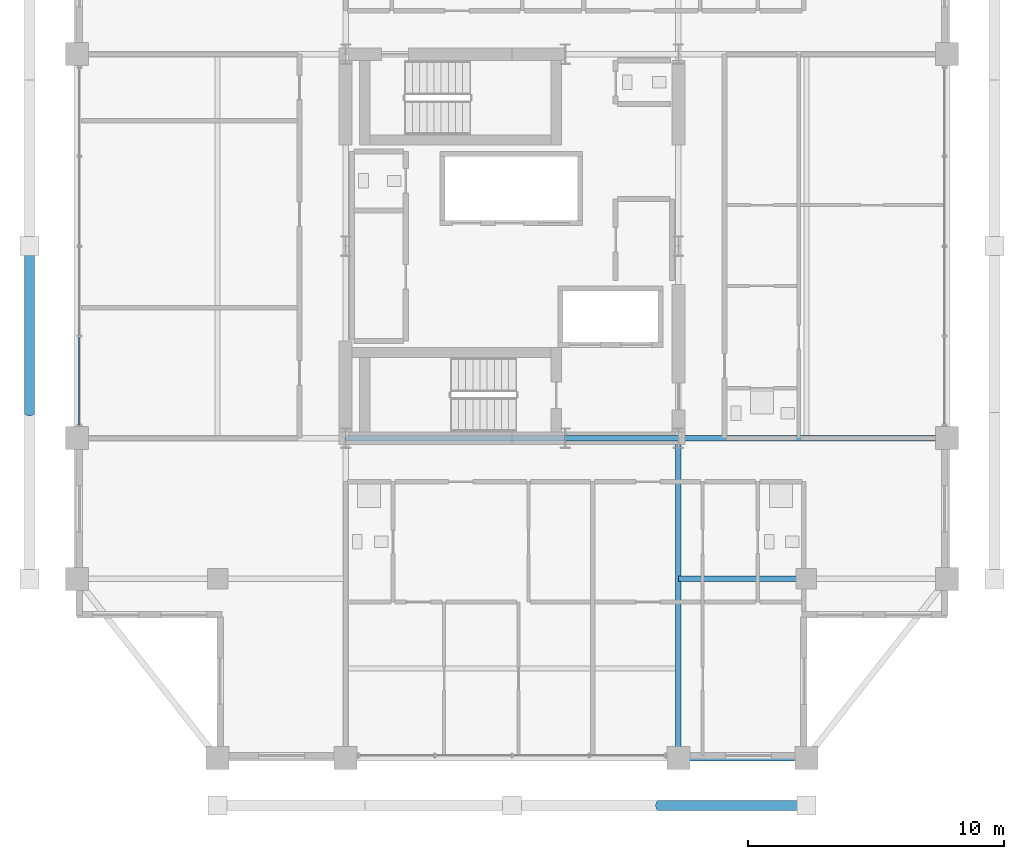
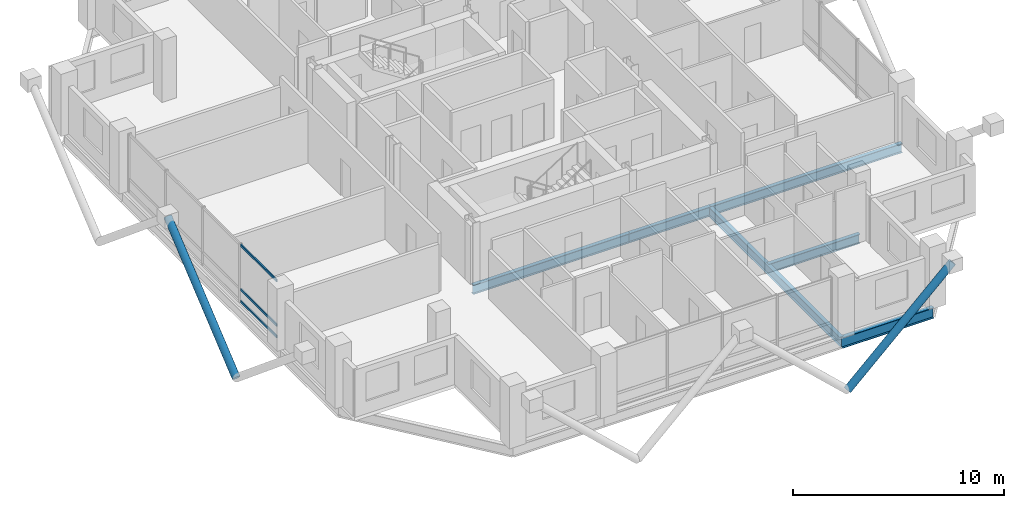
# One storey, part 6 of 23: 6 beams, 5 members, 1 element without a shape of its own.
"""IFC4 building model written with IfcOpenShell, lengths in metres."""

from ifc_helpers import new_model, si_unit, direction, frame, origin, origin_2d, place, context, subcontext, project, spatial, hollow_rectangle, hollow_circle, i_section, extrude, material, layer, layer_set, material_profile, profile_set, type_object, element, aggregate, save


model = new_model("IFC4")

# Units and contexts
model_context = context("Model", 3, precision=1e-05, world=origin(), true_north=direction((0.0, 1.0)))
body_context = subcontext(model_context, "Body", "Model", "MODEL_VIEW")
ifc_project = project(units=[si_unit("LENGTHUNIT", "METRE"), si_unit("AREAUNIT", "SQUARE_METRE"), si_unit("VOLUMEUNIT", "CUBIC_METRE"), si_unit("PLANEANGLEUNIT", "RADIAN"), si_unit("MASSUNIT", "GRAM", prefix="KILO")], contexts=[model_context])

# Site, building, storey
site_placement = place(None, origin())
site = spatial("IfcSite", under=ifc_project, at=site_placement, CompositionType="ELEMENT")
building_placement = place(site_placement, origin())
building = spatial("IfcBuilding", under=site, at=building_placement, Name="Barlavira Tower and Art Museum", CompositionType="ELEMENT")
storey_placement = place(building_placement, frame((0.0, 0.0, 236.699951171875)))
storey = spatial("IfcBuildingStorey", under=building, at=storey_placement, Name="L61", CompositionType="ELEMENT", Elevation=236.699951171875)

# Curtain wall, members
ifc_material_1 = material(Name="Low-iron coastal laminated glass", Category="glass")
ifc_layer = layer(ifc_material_1, 0.2099609375, Name="Low-iron coastal laminated glass")
ifc_layer_set = layer_set([ifc_layer], Name="Low-iron coastal laminated glass")
curtain_wall_type = type_object("IfcCurtainWallType", Name="Pale-Metal Unitised Curtain Wall Zone 4", PredefinedType="NOTDEFINED", material=ifc_layer_set)
curtain_wall_placement = place(storey_placement, origin())
curtain_wall = element("IfcCurtainWall", 1, at=curtain_wall_placement, inside=storey, type_object=curtain_wall_type, Name="L61 Curtain Wall CW4-L61-W-B3", PredefinedType="NOTDEFINED")
ifc_material_2 = material(Name="Pale anodised aluminium", Category="aluminium")
ifc_material_profile_1 = material_profile(ifc_material_2, hollow_rectangle(XDim=0.06494140625, YDim=0.139892578125, WallThickness=0.00390625, at=origin_2d()), Name="ALU-TRAN 65x140x4")
ifc_profile_set_1 = profile_set([ifc_material_profile_1], Name="Pale anodised aluminium")
member_type_1 = type_object("IfcMemberType", Name="Curtain Wall Pale-Metal Transom 65x140", PredefinedType="USERDEFINED", material=ifc_profile_set_1)
member_1_placement = place(storey_placement, frame((-16.89990234375, -3.56005859375, 0.070068359375), z_axis=(0.0, -1.0, 0.0), x_axis=(1.0, 0.0, 0.0)))
member_1 = element("IfcMember", 2, at=member_1_placement, type_object=member_type_1, Name="CW4-L61-W-B3 Transom 3.1", ObjectType="TRANSOM", PredefinedType="USERDEFINED", context=body_context, shape_type="SweptSolid", body=[
    extrude(hollow_rectangle(XDim=0.06494140625, YDim=0.139892578125, WallThickness=0.00390625, at=origin_2d()), origin(), (0.0, 0.0, 1.0), 3.425048828125),
])
member_2_placement = place(storey_placement, frame((-16.89990234375, -3.56005859375, 0.744140625), z_axis=(0.0, -1.0, 0.0), x_axis=(1.0, 0.0, 0.0)))
member_2 = element("IfcMember", 3, at=member_2_placement, type_object=member_type_1, Name="CW4-L61-W-B3 Transom 3.2", ObjectType="TRANSOM", PredefinedType="USERDEFINED", context=body_context, shape_type="SweptSolid", body=[
    extrude(hollow_rectangle(XDim=0.06494140625, YDim=0.139892578125, WallThickness=0.00390625, at=origin_2d()), origin(), (0.0, 0.0, 1.0), 3.425048828125),
])
member_3_placement = place(storey_placement, frame((-16.89990234375, -3.56005859375, 3.31005859375), z_axis=(0.0, -1.0, 0.0), x_axis=(1.0, 0.0, 0.0)))
member_3 = element("IfcMember", 4, at=member_3_placement, type_object=member_type_1, Name="CW4-L61-W-B3 Transom 3.3", ObjectType="TRANSOM", PredefinedType="USERDEFINED", context=body_context, shape_type="SweptSolid", body=[
    extrude(hollow_rectangle(XDim=0.06494140625, YDim=0.139892578125, WallThickness=0.00390625, at=origin_2d()), origin(), (0.0, 0.0, 1.0), 3.425048828125),
])
aggregate(curtain_wall, [member_1, member_2, member_3])

# Members
ifc_material_3 = material(Name="Steel S355", Category="steel")
ifc_material_profile_2 = material_profile(ifc_material_3, hollow_circle(Radius=0.203125, WallThickness=0.01611328125, at=origin_2d()), Name="CHS 406.4x16.0")
ifc_profile_set_2 = profile_set([ifc_material_profile_2], Name="Steel S355")
member_type_2 = type_object("IfcMemberType", Name="Pale-Metal Exoskeleton Diagrid Tube CHS 406x16 Steel S355", PredefinedType="BRACE", material=ifc_profile_set_2)
member_4_placement = place(storey_placement, frame((5.75, -21.85009765625, -1.919921875), z_axis=(0.728950095515, 0.0, 0.684566839869), x_axis=(0.0, 1.0, 0.0)))
element("IfcMember", 5, at=member_4_placement, inside=storey, type_object=member_type_2, Name="L61 Exoskeleton Diagrid Tube S", PredefinedType="BRACE", context=body_context, shape_type="SweptSolid", body=[
    extrude(hollow_circle(Radius=0.203125, WallThickness=0.01611328125, at=origin_2d()), origin(), (0.0, 0.0, 1.0), 7.887939453125),
])
member_5_placement = place(storey_placement, frame((-18.85009765625, -6.5, -1.919921875), z_axis=(0.0, 0.769196053329, 0.639012857104), x_axis=(-1.0, 0.0, 0.0)))
element("IfcMember", 6, at=member_5_placement, inside=storey, type_object=member_type_2, Name="L61 Exoskeleton Diagrid Tube W", PredefinedType="BRACE", context=body_context, shape_type="SweptSolid", body=[
    extrude(hollow_circle(Radius=0.203125, WallThickness=0.01611328125, at=origin_2d()), origin(), (0.0, 0.0, 1.0), 8.450439453125),
])

# Beams
ifc_material_profile_3 = material_profile(ifc_material_3, i_section(OverallWidth=0.22998046875, OverallDepth=0.616943359375, WebThickness=0.01318359375, FlangeThickness=0.022216796875, at=origin_2d()), Name="W610x140.0")
ifc_profile_set_3 = profile_set([ifc_material_profile_3], Name="Steel S355")
beam_type_1 = type_object("IfcBeamType", Name="Upper Shaft Spandrel Edge Beam W610x140 Steel S355", PredefinedType="SPANDREL", material=ifc_profile_set_3)
beam_1_placement = place(storey_placement, frame((6.5, -20.0, -0.528564453125), z_axis=(1.0, 0.0, 0.0), x_axis=(0.0, 1.0, 0.0)))
element("IfcBeam", 7, at=beam_1_placement, inside=storey, type_object=beam_type_1, Name="L61 Spandrel 3", PredefinedType="SPANDREL", context=body_context, shape_type="SweptSolid", body=[
    extrude(i_section(OverallWidth=0.22998046875, OverallDepth=0.616943359375, WebThickness=0.01318359375, FlangeThickness=0.022216796875, at=origin_2d()), origin(), (0.0, 0.0, 1.0), 5.0),
])
ifc_material_profile_4 = material_profile(ifc_material_3, i_section(OverallWidth=0.2109375, OverallDepth=0.5390625, WebThickness=0.01171875, FlangeThickness=0.018798828125, at=origin_2d()), Name="W530x109.0")
ifc_profile_set_4 = profile_set([ifc_material_profile_4], Name="Steel S355")
beam_type_2 = type_object("IfcBeamType", Name="Zone 3-4 Primary Floor Girder W530x109 Steel S355", PredefinedType="BEAM", material=ifc_profile_set_4)
beam_2_placement = place(storey_placement, frame((-6.5, -7.5, -0.489501953125), z_axis=(1.0, 0.0, 0.0), x_axis=(0.0, 1.0, 0.0)))
element("IfcBeam", 8, at=beam_2_placement, inside=storey, type_object=beam_type_2, Name="L61 Girder C-S1", PredefinedType="BEAM", context=body_context, shape_type="SweptSolid", body=[
    extrude(i_section(OverallWidth=0.2109375, OverallDepth=0.5390625, WebThickness=0.01171875, FlangeThickness=0.018798828125, at=origin_2d()), origin(), (0.0, 0.0, 1.0), 8.580078125),
])
beam_3_placement = place(storey_placement, frame((2.080078125, -7.5, -0.489501953125), z_axis=(1.0, 0.0, 0.0), x_axis=(0.0, 1.0, 0.0)))
element("IfcBeam", 9, at=beam_3_placement, inside=storey, type_object=beam_type_2, Name="L61 Girder C-S2", PredefinedType="BEAM", context=body_context, shape_type="SweptSolid", body=[
    extrude(i_section(OverallWidth=0.2109375, OverallDepth=0.5390625, WebThickness=0.01171875, FlangeThickness=0.018798828125, at=origin_2d()), origin(), (0.0, 0.0, 1.0), 4.419921875),
])
beam_4_placement = place(storey_placement, frame((6.5, -20.0, -0.489501953125), z_axis=(0.0, 1.0, 0.0), x_axis=(-1.0, 0.0, 0.0)))
element("IfcBeam", 10, at=beam_4_placement, inside=storey, type_object=beam_type_2, Name="L61 Girder R-S2", PredefinedType="BEAM", context=body_context, shape_type="SweptSolid", body=[
    extrude(i_section(OverallWidth=0.2109375, OverallDepth=0.5390625, WebThickness=0.01171875, FlangeThickness=0.018798828125, at=origin_2d()), origin(), (0.0, 0.0, 1.0), 12.5),
])
beam_5_placement = place(storey_placement, frame((6.5, -7.5, -0.489501953125), z_axis=(1.0, 0.0, 0.0), x_axis=(0.0, 1.0, 0.0)))
element("IfcBeam", 11, at=beam_5_placement, inside=storey, type_object=beam_type_2, Name="L61 Girder R-E1", PredefinedType="BEAM", context=body_context, shape_type="SweptSolid", body=[
    extrude(i_section(OverallWidth=0.2109375, OverallDepth=0.5390625, WebThickness=0.01171875, FlangeThickness=0.018798828125, at=origin_2d()), origin(), (0.0, 0.0, 1.0), 10.5),
])
beam_6_placement = place(storey_placement, frame((6.5, -13.0, -0.489501953125), z_axis=(1.0, 0.0, 0.0), x_axis=(0.0, 1.0, 0.0)))
element("IfcBeam", 12, at=beam_6_placement, inside=storey, type_object=beam_type_2, Name="L61 Girder I-S3", PredefinedType="BEAM", context=body_context, shape_type="SweptSolid", body=[
    extrude(i_section(OverallWidth=0.2109375, OverallDepth=0.5390625, WebThickness=0.01171875, FlangeThickness=0.018798828125, at=origin_2d()), origin(), (0.0, 0.0, 1.0), 5.0),
])

save(model, "model.ifc")
